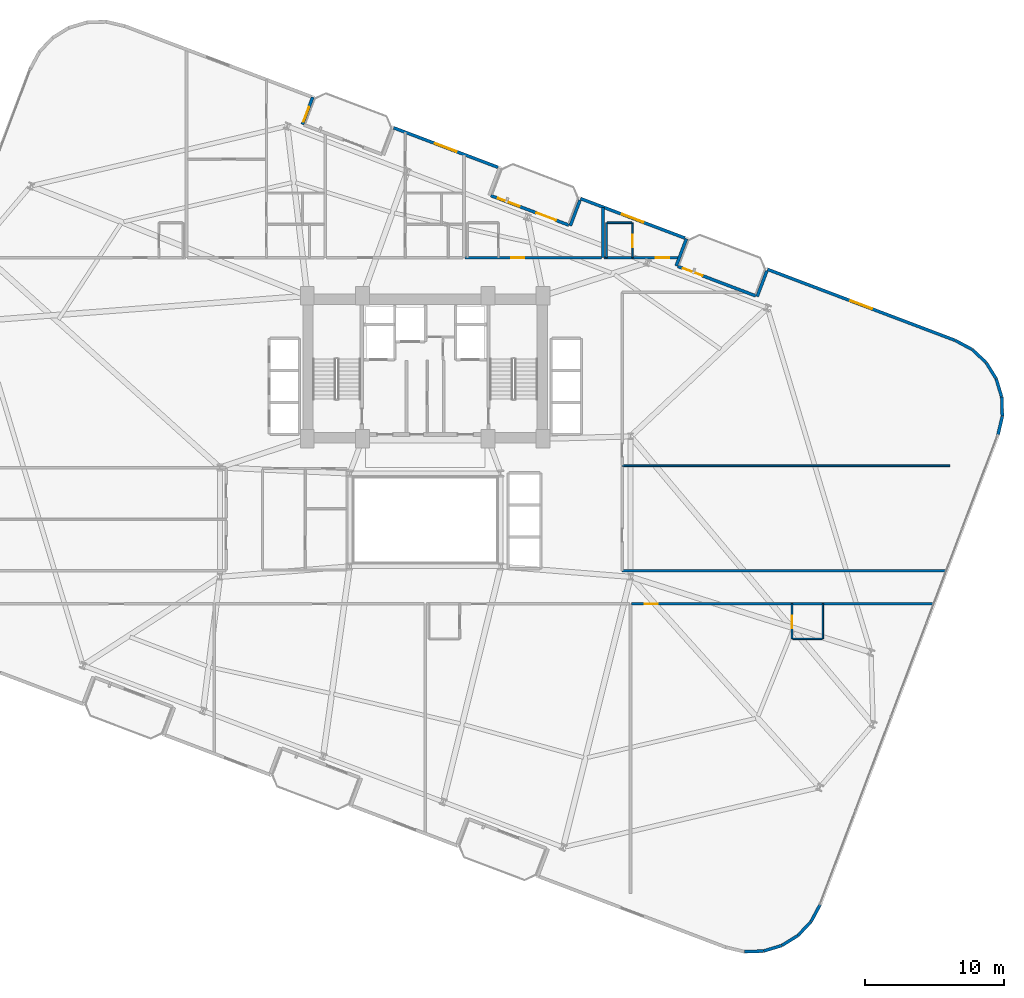
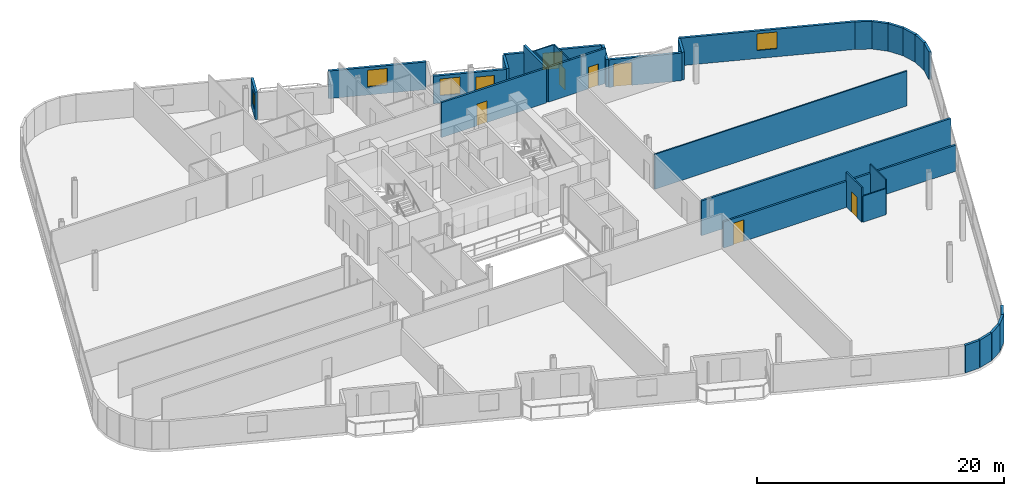
# One storey, part 20 of 24: 32 walls, 7 doors, 5 windows, 12 openings.
"""IFC4 building model written with IfcOpenShell, lengths in metres."""

from ifc_helpers import new_model, si_unit, direction, frame, frame_2d, origin, place, context, subcontext, project, spatial, rectangle, extrude, material, layer, layer_set, type_object, element, fill, save


model = new_model("IFC4")

# Units and contexts
model_context = context("Model", 3, precision=1e-05, world=origin(), true_north=direction((0.0, 1.0)))
body_context = subcontext(model_context, "Body", "Model", "MODEL_VIEW")
ifc_project = project(units=[si_unit("LENGTHUNIT", "METRE"), si_unit("AREAUNIT", "SQUARE_METRE"), si_unit("VOLUMEUNIT", "CUBIC_METRE"), si_unit("PLANEANGLEUNIT", "RADIAN"), si_unit("MASSUNIT", "GRAM", prefix="KILO")], contexts=[model_context])

# Site, building, storey
site_placement = place(None, origin())
site = spatial("IfcSite", under=ifc_project, at=site_placement, CompositionType="ELEMENT")
building_placement = place(site_placement, origin())
building = spatial("IfcBuilding", under=site, at=building_placement, Name="Varnelok Gate Tower", CompositionType="ELEMENT")
storey_placement = place(building_placement, frame((0.0, 0.0, 102.10009765625)))
storey = spatial("IfcBuildingStorey", under=building, at=storey_placement, Name="L25", CompositionType="ELEMENT", Elevation=102.10009765625)

# Wall, openings, door, window
ifc_material_1 = material(Name="Concrete C45/55", Category="concrete")
ifc_layer_1 = layer(ifc_material_1, 0.219970703125)
ifc_layer_set_1 = layer_set([ifc_layer_1], Name="Concrete C45/55")
wall_type_1 = type_object("IfcWallType", Name="EW-BALC-220", PredefinedType="SOLIDWALL", material=ifc_layer_set_1)
wall_1_placement = place(storey_placement, frame((43.932373046875, 46.273193359375, 0.0), z_axis=(0.0, 0.0, 1.0), x_axis=(0.93521416643, -0.354082565101, 0.0)))
wall_1 = element("IfcWall", 1, at=wall_1_placement, inside=storey, type_object=wall_type_1, Name="L25 North Terrace Envelope Wall 5", PredefinedType="SOLIDWALL", context=body_context, shape_type="SweptSolid", body=[
    extrude(rectangle(XDim=6.0, YDim=0.219970703125, at=frame_2d((3.0, 0.0))), origin(), (0.0, 0.0, 1.0), 2.72998046875),
])
opening_1_placement = place(wall_1_placement, frame((3.508056640625, 0.0, 0.0)))
opening_1 = element("IfcOpeningElement", 2, at=opening_1_placement, cuts=wall_1, Name="Opening BD-1", PredefinedType="OPENING", context=body_context, shape_type="SweptSolid", body=[
    extrude(rectangle(XDim=1.5, YDim=2.25, at=frame_2d((0.75, 1.125))), frame((0.0, 0.119873046875, 0.0), z_axis=(0.0, -1.0, 0.0), x_axis=(1.0, 0.0, 0.0)), (0.0, 0.0, 1.0), 0.239990234375),
])
opening_2_placement = place(wall_1_placement, frame((0.550048828125, 0.0, 0.75)))
opening_2 = element("IfcOpeningElement", 3, at=opening_2_placement, cuts=wall_1, Name="Opening WN3", PredefinedType="OPENING", context=body_context, shape_type="SweptSolid", body=[
    extrude(rectangle(XDim=1.64990234375, YDim=1.64990234375, at=frame_2d((0.824951171875, 0.824951171875))), frame((0.0, 0.119873046875, 0.0), z_axis=(0.0, -1.0, 0.0), x_axis=(1.0, 0.0, 0.0)), (0.0, 0.0, 1.0), 0.239990234375),
])
ifc_material_2 = material(Name="Anodized Aluminum Alloy 6063-T6", Category="aluminium")
door_type_1 = type_object("IfcDoorType", Name="DR-EXT-BALC1500", OperationType="NOTDEFINED", PredefinedType="DOOR", material=ifc_material_2)
door_1_placement = place(opening_1_placement, origin())
door_1 = element("IfcDoor", 4, at=door_1_placement, inside=storey, type_object=door_type_1, Name="L25 North Balcony Glazed Door 5", OperationType="SINGLE_SWING_RIGHT", OverallHeight=2.25, OverallWidth=1.5, PredefinedType="DOOR", context=body_context, shape_type="SweptSolid", body=[
    extrude(rectangle(XDim=1.5, YDim=2.25, at=frame_2d((0.75, 1.125))), frame((0.0, 0.02490234375, 0.0), z_axis=(0.0, -1.0, 0.0), x_axis=(1.0, 0.0, 0.0)), (0.0, 0.0, 1.0), 0.050048828125),
])
fill(opening_1, door_1)
ifc_material_3 = material(Name="Low-E Laminated Double Glazing IGU", Category="glass")
window_type_1 = type_object("IfcWindowType", Name="WN-HTL-1650", PartitioningType="SINGLE_PANEL", PredefinedType="WINDOW", material=ifc_material_3)
window_1_placement = place(opening_2_placement, origin())
window_1 = element("IfcWindow", 5, at=window_1_placement, inside=storey, type_object=window_type_1, Name="L25 North Vision Window 5.1", OverallHeight=1.64990234375, OverallWidth=1.64990234375, PartitioningType="SINGLE_PANEL", PredefinedType="WINDOW", context=body_context, shape_type="SweptSolid", body=[
    extrude(rectangle(XDim=1.64990234375, YDim=1.64990234375, at=frame_2d((0.824951171875, 0.824951171875))), frame((0.0, 0.030029296875, 0.0), z_axis=(0.0, -1.0, 0.0), x_axis=(1.0, 0.0, 0.0)), (0.0, 0.0, 1.0), 0.06005859375),
])
fill(opening_2, window_1)

# Wall, opening, door
wall_2_placement = place(storey_placement, frame((57.3994140625, 41.174560546875, 0.0), z_axis=(0.0, 0.0, 1.0), x_axis=(0.935227640088, -0.354046976001, 0.0)))
wall_2 = element("IfcWall", 6, at=wall_2_placement, inside=storey, type_object=wall_type_1, Name="L25 North Terrace Envelope Wall 6", PredefinedType="SOLIDWALL", context=body_context, shape_type="SweptSolid", body=[
    extrude(rectangle(XDim=6.0, YDim=0.219970703125, at=frame_2d((3.0, 0.0))), origin(), (0.0, 0.0, 1.0), 2.72998046875),
])
opening_3_placement = place(wall_2_placement, frame((0.39990234375, 0.0, 0.0)))
opening_3 = element("IfcOpeningElement", 7, at=opening_3_placement, cuts=wall_2, Name="Opening BD-1", PredefinedType="OPENING", context=body_context, shape_type="SweptSolid", body=[
    extrude(rectangle(XDim=1.5, YDim=2.25, at=frame_2d((0.75, 1.125))), frame((0.0, 0.119873046875, 0.0), z_axis=(0.0, -1.0, 0.0), x_axis=(1.0, 0.0, 0.0)), (0.0, 0.0, 1.0), 0.239990234375),
])
door_2_placement = place(opening_3_placement, origin())
door_2 = element("IfcDoor", 8, at=door_2_placement, inside=storey, type_object=door_type_1, Name="L25 North Balcony Glazed Door 6", OperationType="SINGLE_SWING_LEFT", OverallHeight=2.25, OverallWidth=1.5, PredefinedType="DOOR", context=body_context, shape_type="SweptSolid", body=[
    extrude(rectangle(XDim=1.5, YDim=2.25, at=frame_2d((0.75, 1.125))), frame((0.0, 0.02490234375, 0.0), z_axis=(0.0, -1.0, 0.0), x_axis=(1.0, 0.0, 0.0)), (0.0, 0.0, 1.0), 0.050048828125),
])
fill(opening_3, door_2)

# Walls
wall_3_placement = place(storey_placement, frame((62.2158203125, -8.209228515625, 0.0), z_axis=(0.0, 0.0, 1.0), x_axis=(0.999523971993, 0.03085173271, 0.0)))
element("IfcWall", 9, at=wall_3_placement, inside=storey, type_object=wall_type_1, Name="L25 Perimeter Facade Closure Wall 18", PredefinedType="SOLIDWALL", context=body_context, shape_type="SweptSolid", body=[
    extrude(rectangle(XDim=1.353271484375, YDim=0.219970703125, at=frame_2d((0.6767578125, 0.0))), origin(), (0.0, 0.0, 1.0), 2.72998046875),
])
for number, where, z_axis, x_axis, name in (
    (10, (63.59228515625, -8.160400390625, 0.0), (0.0, 0.0, 1.0), (0.957532798303, 0.28832436625, 0.0), "L25 Perimeter Facade Closure Wall 19"),
    (11, (64.9091796875, -7.757080078125, 0.0), (0.0, 0.0, 1.0), (0.850180541217, 0.526491260456, 0.0), "L25 Perimeter Facade Closure Wall 20"),
):
    element("IfcWall", number, at=place(storey_placement, frame(where, z_axis=z_axis, x_axis=x_axis)), inside=storey, type_object=wall_type_1, Name=name, PredefinedType="SOLIDWALL", context=body_context, shape_type="SweptSolid", body=[
        extrude(rectangle(XDim=1.35302734375, YDim=0.219970703125, at=frame_2d((0.676513671875, 0.0))), origin(), (0.0, 0.0, 1.0), 2.72998046875),
    ])
wall_4_placement = place(storey_placement, frame((66.07666015625, -7.026611328125, 0.0), z_axis=(0.0, 0.0, 1.0), x_axis=(0.685032599484, 0.7285124142, 0.0)))
element("IfcWall", 12, at=wall_4_placement, inside=storey, type_object=wall_type_1, Name="L25 Perimeter Facade Closure Wall 21", PredefinedType="SOLIDWALL", context=body_context, shape_type="SweptSolid", body=[
    extrude(rectangle(XDim=1.353271484375, YDim=0.219970703125, at=frame_2d((0.6767578125, 0.0))), origin(), (0.0, 0.0, 1.0), 2.72998046875),
])
wall_5_placement = place(storey_placement, frame((67.015380859375, -6.018798828125, 0.0), z_axis=(0.0, 0.0, 1.0), x_axis=(0.473077364598, 0.881020889142, 0.0)))
element("IfcWall", 13, at=wall_5_placement, inside=storey, type_object=wall_type_1, Name="L25 Perimeter Facade Closure Wall 22", PredefinedType="SOLIDWALL", context=body_context, shape_type="SweptSolid", body=[
    extrude(rectangle(XDim=1.35302734375, YDim=0.219970703125, at=frame_2d((0.676513671875, 0.0))), origin(), (0.0, 0.0, 1.0), 2.72998046875),
])
wall_6_placement = place(storey_placement, frame((80.47265625, 29.0283203125, 0.0), z_axis=(0.0, 0.0, 1.0), x_axis=(0.228881345311, 0.973454328548, 0.0)))
element("IfcWall", 14, at=wall_6_placement, inside=storey, type_object=wall_type_1, Name="L25 Perimeter Facade Closure Wall 23", PredefinedType="SOLIDWALL", context=body_context, shape_type="SweptSolid", body=[
    extrude(rectangle(XDim=1.378173828125, YDim=0.219970703125, at=frame_2d((0.68896484375, 0.0))), origin(), (0.0, 0.0, 1.0), 2.72998046875),
])
for number, where, z_axis, x_axis, name in (
    (15, (80.787353515625, 30.39501953125, 0.0), (0.0, 0.0, 1.0), (-0.030857297317, 0.999523800218, 0.0), "L25 Perimeter Facade Closure Wall 24"),
    (16, (80.738525390625, 31.771240234375, 0.0), (0.0, 0.0, 1.0), (-0.28832436625, 0.957532798303, 0.0), "L25 Perimeter Facade Closure Wall 25"),
    (17, (80.335205078125, 33.088134765625, 0.0), (0.0, 0.0, 1.0), (-0.526491260456, 0.850180541217, 0.0), "L25 Perimeter Facade Closure Wall 26"),
    (18, (79.6044921875, 34.255615234375, 0.0), (0.0, 0.0, 1.0), (-0.72842773461, 0.685122642634, 0.0), "L25 Perimeter Facade Closure Wall 27"),
):
    element("IfcWall", number, at=place(storey_placement, frame(where, z_axis=z_axis, x_axis=x_axis)), inside=storey, type_object=wall_type_1, Name=name, PredefinedType="SOLIDWALL", context=body_context, shape_type="SweptSolid", body=[
        extrude(rectangle(XDim=1.35302734375, YDim=0.219970703125, at=frame_2d((0.676513671875, 0.0))), origin(), (0.0, 0.0, 1.0), 2.72998046875),
    ])
wall_7_placement = place(storey_placement, frame((78.5966796875, 35.1943359375, 0.0), z_axis=(0.0, 0.0, 1.0), x_axis=(-0.880948732004, 0.473211719614, 0.0)))
element("IfcWall", 19, at=wall_7_placement, inside=storey, type_object=wall_type_1, Name="L25 Perimeter Facade Closure Wall 28", PredefinedType="SOLIDWALL", context=body_context, shape_type="SweptSolid", body=[
    extrude(rectangle(XDim=1.361083984375, YDim=0.219970703125, at=frame_2d((0.6806640625, 0.0))), origin(), (0.0, 0.0, 1.0), 2.72998046875),
])

# Wall, opening, window
wall_8_placement = place(storey_placement, frame((77.37451171875, 35.84716796875, 0.0), z_axis=(0.0, 0.0, 1.0), x_axis=(-0.935222448475, 0.354060689526, 0.0)))
wall_8 = element("IfcWall", 20, at=wall_8_placement, inside=storey, type_object=wall_type_1, Name="L25 Perimeter Facade Closure Wall 29", PredefinedType="SOLIDWALL", context=body_context, shape_type="SweptSolid", body=[
    extrude(rectangle(XDim=14.447265625, YDim=0.219970703125, at=frame_2d((7.2236328125, 0.0))), origin(), (0.0, 0.0, 1.0), 2.72998046875),
])
opening_4_placement = place(wall_8_placement, frame((6.398681640625, 0.0, 0.800048828125)))
opening_4 = element("IfcOpeningElement", 21, at=opening_4_placement, cuts=wall_8, Name="Opening WN3", PredefinedType="OPENING", context=body_context, shape_type="SweptSolid", body=[
    extrude(rectangle(XDim=1.64990234375, YDim=1.64990234375, at=frame_2d((0.824951171875, 0.824951171875))), frame((0.0, 0.119873046875, 0.0), z_axis=(0.0, -1.0, 0.0), x_axis=(1.0, 0.0, 0.0)), (0.0, 0.0, 1.0), 0.239990234375),
])
window_2_placement = place(opening_4_placement, origin())
window_2 = element("IfcWindow", 22, at=window_2_placement, inside=storey, type_object=window_type_1, Name="L25 Perimeter Vision Window 29", OverallHeight=1.64990234375, OverallWidth=1.64990234375, PartitioningType="SINGLE_PANEL", PredefinedType="WINDOW", context=body_context, shape_type="SweptSolid", body=[
    extrude(rectangle(XDim=1.64990234375, YDim=1.64990234375, at=frame_2d((0.824951171875, 0.824951171875))), frame((0.0, 0.030029296875, 0.0), z_axis=(0.0, -1.0, 0.0), x_axis=(1.0, 0.0, 0.0)), (0.0, 0.0, 1.0), 0.06005859375),
])
fill(opening_4, window_2)

# Walls
wall_9_placement = place(storey_placement, frame((63.81884765625, 40.845458984375, 0.0), z_axis=(0.0, 0.0, 1.0), x_axis=(-0.354128791944, -0.935196663123, 0.0)))
element("IfcWall", 23, at=wall_9_placement, inside=storey, type_object=wall_type_1, Name="L25 Perimeter Facade Closure Wall 30", PredefinedType="SOLIDWALL", context=body_context, shape_type="SweptSolid", body=[
    extrude(rectangle(XDim=1.97509765625, YDim=0.219970703125, at=frame_2d((0.987548828125, 0.0))), origin(), (0.0, 0.0, 1.0), 2.72998046875),
])
wall_10_placement = place(storey_placement, frame((57.28369140625, 41.207763671875, 0.0), z_axis=(0.0, 0.0, 1.0), x_axis=(0.354128469405, 0.935196785258, 0.0)))
element("IfcWall", 24, at=wall_10_placement, inside=storey, type_object=wall_type_1, Name="L25 Perimeter Facade Closure Wall 31", PredefinedType="SOLIDWALL", context=body_context, shape_type="SweptSolid", body=[
    extrude(rectangle(XDim=2.099853515625, YDim=0.219970703125, at=frame_2d((1.0498046875, 0.0))), origin(), (0.0, 0.0, 1.0), 2.72998046875),
])

# Wall, opening, window
wall_11_placement = place(storey_placement, frame((57.910400390625, 43.2158203125, 0.0), z_axis=(0.0, 0.0, 1.0), x_axis=(-0.935220736163, 0.354065212427, 0.0)))
wall_11 = element("IfcWall", 25, at=wall_11_placement, inside=storey, type_object=wall_type_1, Name="L25 Perimeter Facade Closure Wall 32", PredefinedType="SOLIDWALL", context=body_context, shape_type="SweptSolid", body=[
    extrude(rectangle(XDim=8.03515625, YDim=0.219970703125, at=frame_2d((4.017578125, 0.0))), origin(), (0.0, 0.0, 1.0), 2.72998046875),
])
opening_5_placement = place(wall_11_placement, frame((3.1923828125, 0.0, 0.800048828125)))
opening_5 = element("IfcOpeningElement", 26, at=opening_5_placement, cuts=wall_11, Name="Opening WN3", PredefinedType="OPENING", context=body_context, shape_type="SweptSolid", body=[
    extrude(rectangle(XDim=1.64990234375, YDim=1.64990234375, at=frame_2d((0.824951171875, 0.824951171875))), frame((0.0, 0.119873046875, 0.0), z_axis=(0.0, -1.0, 0.0), x_axis=(1.0, 0.0, 0.0)), (0.0, 0.0, 1.0), 0.239990234375),
])
window_3_placement = place(opening_5_placement, origin())
window_3 = element("IfcWindow", 27, at=window_3_placement, inside=storey, type_object=window_type_1, Name="L25 Perimeter Vision Window 32", OverallHeight=1.64990234375, OverallWidth=1.64990234375, PartitioningType="SINGLE_PANEL", PredefinedType="WINDOW", context=body_context, shape_type="SweptSolid", body=[
    extrude(rectangle(XDim=1.64990234375, YDim=1.64990234375, at=frame_2d((0.824951171875, 0.824951171875))), frame((0.0, 0.030029296875, 0.0), z_axis=(0.0, -1.0, 0.0), x_axis=(1.0, 0.0, 0.0)), (0.0, 0.0, 1.0), 0.06005859375),
])
fill(opening_5, window_3)

# Wall
wall_12_placement = place(storey_placement, frame((50.3515625, 45.94384765625, 0.0), z_axis=(0.0, 0.0, 1.0), x_axis=(-0.354061611705, -0.935222099352, 0.0)))
element("IfcWall", 28, at=wall_12_placement, inside=storey, type_object=wall_type_1, Name="L25 Perimeter Facade Closure Wall 33", PredefinedType="SOLIDWALL", context=body_context, shape_type="SweptSolid", body=[
    extrude(rectangle(XDim=1.974853515625, YDim=0.219970703125, at=frame_2d((0.9873046875, 0.0))), origin(), (0.0, 0.0, 1.0), 2.72998046875),
])

# Wall, opening, window
wall_13_placement = place(storey_placement, frame((44.443115234375, 48.314453125, 0.0), z_axis=(0.0, 0.0, 1.0), x_axis=(-0.935226988293, 0.354048697735, 0.0)))
wall_13 = element("IfcWall", 29, at=wall_13_placement, inside=storey, type_object=wall_type_1, Name="L25 Perimeter Facade Closure Wall 35", PredefinedType="SOLIDWALL", context=body_context, shape_type="SweptSolid", body=[
    extrude(rectangle(XDim=8.034912109375, YDim=0.219970703125, at=frame_2d((4.017578125, 0.0))), origin(), (0.0, 0.0, 1.0), 2.72998046875),
])
opening_6_placement = place(wall_13_placement, frame((3.1923828125, 0.0, 0.800048828125)))
opening_6 = element("IfcOpeningElement", 30, at=opening_6_placement, cuts=wall_13, Name="Opening WN3", PredefinedType="OPENING", context=body_context, shape_type="SweptSolid", body=[
    extrude(rectangle(XDim=1.64990234375, YDim=1.64990234375, at=frame_2d((0.824951171875, 0.824951171875))), frame((0.0, 0.119873046875, 0.0), z_axis=(0.0, -1.0, 0.0), x_axis=(1.0, 0.0, 0.0)), (0.0, 0.0, 1.0), 0.239990234375),
])
window_4_placement = place(opening_6_placement, origin())
window_4 = element("IfcWindow", 31, at=window_4_placement, inside=storey, type_object=window_type_1, Name="L25 Perimeter Vision Window 35", OverallHeight=1.64990234375, OverallWidth=1.64990234375, PartitioningType="SINGLE_PANEL", PredefinedType="WINDOW", context=body_context, shape_type="SweptSolid", body=[
    extrude(rectangle(XDim=1.64990234375, YDim=1.64990234375, at=frame_2d((0.824951171875, 0.824951171875))), frame((0.0, 0.030029296875, 0.0), z_axis=(0.0, -1.0, 0.0), x_axis=(1.0, 0.0, 0.0)), (0.0, 0.0, 1.0), 0.06005859375),
])
fill(opening_6, window_4)

wall_14_placement = place(storey_placement, frame((30.349365234375, 51.40478515625, 0.0), z_axis=(0.0, 0.0, 1.0), x_axis=(0.354128469405, 0.935196785258, 0.0)))
wall_14 = element("IfcWall", 32, at=wall_14_placement, inside=storey, type_object=wall_type_1, Name="L25 Perimeter Facade Closure Wall 37", PredefinedType="SOLIDWALL", context=body_context, shape_type="SweptSolid", body=[
    extrude(rectangle(XDim=2.099853515625, YDim=0.219970703125, at=frame_2d((1.0498046875, 0.0))), origin(), (0.0, 0.0, 1.0), 2.72998046875),
])
opening_7_placement = place(wall_14_placement, frame((0.199951171875, 0.0, 0.800048828125)))
opening_7 = element("IfcOpeningElement", 33, at=opening_7_placement, cuts=wall_14, Name="Opening WN8", PredefinedType="OPENING", context=body_context, shape_type="SweptSolid", body=[
    extrude(rectangle(XDim=1.14990234375, YDim=1.39990234375, at=frame_2d((0.574951171875, 0.699951171875))), frame((0.0, 0.119873046875, 0.0), z_axis=(0.0, -1.0, 0.0), x_axis=(1.0, 0.0, 0.0)), (0.0, 0.0, 1.0), 0.239990234375),
])
window_type_2 = type_object("IfcWindowType", Name="WN-BED-1150", PartitioningType="SINGLE_PANEL", PredefinedType="WINDOW", material=ifc_material_3)
window_5_placement = place(opening_7_placement, origin())
window_5 = element("IfcWindow", 34, at=window_5_placement, inside=storey, type_object=window_type_2, Name="L25 Bedroom Vision Window 11", OverallHeight=1.39990234375, OverallWidth=1.14990234375, PartitioningType="SINGLE_PANEL", PredefinedType="WINDOW", context=body_context, shape_type="SweptSolid", body=[
    extrude(rectangle(XDim=1.14990234375, YDim=1.39990234375, at=frame_2d((0.574951171875, 0.699951171875))), frame((0.0, 0.030029296875, 0.0), z_axis=(0.0, -1.0, 0.0), x_axis=(1.0, 0.0, 0.0)), (0.0, 0.0, 1.0), 0.06005859375),
])
fill(opening_7, window_5)

# Wall, opening, door
ifc_material_4 = material(Name="Gypsum Plasterboard Acoustic Partition", Category="gypsum")
ifc_layer_2 = layer(ifc_material_4, 0.179931640625)
ifc_layer_set_2 = layer_set([ifc_layer_2], Name="Gypsum Plasterboard Acoustic Partition")
wall_type_2 = type_object("IfcWallType", Name="PW-CORR-180", PredefinedType="PARTITIONING", material=ifc_layer_set_2)
wall_15_placement = place(storey_placement, frame((54.080078125, 16.85009765625, 0.0), z_axis=(0.0, 0.0, 1.0), x_axis=(1.0, 0.0, 0.0)))
wall_15 = element("IfcWall", 35, at=wall_15_placement, inside=storey, type_object=wall_type_2, Name="Interior Partition", PredefinedType="PARTITIONING", context=body_context, shape_type="SweptSolid", body=[
    extrude(rectangle(XDim=21.7216796875, YDim=0.179931640625, at=frame_2d((10.86083984375, 0.0))), origin(), (0.0, 0.0, 1.0), 2.579833984375),
])
opening_8_placement = place(wall_15_placement, frame((0.934326171875, 0.0, 0.0)))
opening_8 = element("IfcOpeningElement", 36, at=opening_8_placement, cuts=wall_15, Name="Opening D-HT", PredefinedType="OPENING", context=body_context, shape_type="SweptSolid", body=[
    extrude(rectangle(XDim=0.949951171875, YDim=2.14990234375, at=frame_2d((0.47509765625, 1.074951171875))), frame((0.0, 0.099853515625, 0.0), z_axis=(0.0, -1.0, 0.0), x_axis=(1.0, 0.0, 0.0)), (0.0, 0.0, 1.0), 0.199951171875),
])
ifc_material_5 = material(Name="Engineered Hardwood Timber", Category="wood")
door_type_2 = type_object("IfcDoorType", Name="DR-HTL-950", OperationType="NOTDEFINED", PredefinedType="DOOR", material=ifc_material_5)
door_3_placement = place(opening_8_placement, origin())
door_3 = element("IfcDoor", 37, at=door_3_placement, inside=storey, type_object=door_type_2, Name="L25 Guest Room 04 Entrance Door", OperationType="SINGLE_SWING_LEFT", OverallHeight=2.14990234375, OverallWidth=0.949951171875, PredefinedType="DOOR", context=body_context, shape_type="SweptSolid", body=[
    extrude(rectangle(XDim=0.949951171875, YDim=2.14990234375, at=frame_2d((0.47509765625, 1.074951171875))), frame((0.0, 0.02490234375, 0.0), z_axis=(0.0, -1.0, 0.0), x_axis=(1.0, 0.0, 0.0)), (0.0, 0.0, 1.0), 0.050048828125),
])
fill(opening_8, door_3)

wall_16_placement = place(storey_placement, frame((42.080078125, 41.800048828125, 0.0), z_axis=(0.0, 0.0, 1.0), x_axis=(1.0, 0.0, 0.0)))
wall_16 = element("IfcWall", 38, at=wall_16_placement, inside=storey, type_object=wall_type_2, Name="Interior Partition", PredefinedType="PARTITIONING", context=body_context, shape_type="SweptSolid", body=[
    extrude(rectangle(XDim=9.83984375, YDim=0.179931640625, at=frame_2d((4.919921875, 0.0))), origin(), (0.0, 0.0, 1.0), 3.449951171875),
])
opening_9_placement = place(wall_16_placement, frame((3.322998046875, 0.0, 0.0)))
opening_9 = element("IfcOpeningElement", 39, at=opening_9_placement, cuts=wall_16, Name="Opening D-HT", PredefinedType="OPENING", context=body_context, shape_type="SweptSolid", body=[
    extrude(rectangle(XDim=0.949951171875, YDim=2.14990234375, at=frame_2d((0.47509765625, 1.074951171875))), frame((0.0, 0.099853515625, 0.0), z_axis=(0.0, -1.0, 0.0), x_axis=(1.0, 0.0, 0.0)), (0.0, 0.0, 1.0), 0.199951171875),
])
door_4_placement = place(opening_9_placement, origin())
door_4 = element("IfcDoor", 40, at=door_4_placement, inside=storey, type_object=door_type_2, Name="L25 Guest Room 08 Entrance Door", OperationType="SINGLE_SWING_LEFT", OverallHeight=2.14990234375, OverallWidth=0.949951171875, PredefinedType="DOOR", context=body_context, shape_type="SweptSolid", body=[
    extrude(rectangle(XDim=0.949951171875, YDim=2.14990234375, at=frame_2d((0.47509765625, 1.074951171875))), frame((0.0, 0.02490234375, 0.0), z_axis=(0.0, -1.0, 0.0), x_axis=(1.0, 0.0, 0.0)), (0.0, 0.0, 1.0), 0.050048828125),
])
fill(opening_9, door_4)

wall_17_placement = place(storey_placement, frame((52.080078125, 41.800048828125, 0.0), z_axis=(0.0, 0.0, 1.0), x_axis=(1.0, 0.0, 0.0)))
wall_17 = element("IfcWall", 41, at=wall_17_placement, inside=storey, type_object=wall_type_2, Name="Interior Partition", PredefinedType="PARTITIONING", context=body_context, shape_type="SweptSolid", body=[
    extrude(rectangle(XDim=5.406494140625, YDim=0.179931640625, at=frame_2d((2.703125, 0.0))), origin(), (0.0, 0.0, 1.0), 3.449951171875),
])
opening_10_placement = place(wall_17_placement, frame((3.739501953125, 0.0, 0.0)))
opening_10 = element("IfcOpeningElement", 42, at=opening_10_placement, cuts=wall_17, Name="Opening D-HT", PredefinedType="OPENING", context=body_context, shape_type="SweptSolid", body=[
    extrude(rectangle(XDim=0.949951171875, YDim=2.14990234375, at=frame_2d((0.47509765625, 1.074951171875))), frame((0.0, 0.099853515625, 0.0), z_axis=(0.0, -1.0, 0.0), x_axis=(1.0, 0.0, 0.0)), (0.0, 0.0, 1.0), 0.199951171875),
])
door_5_placement = place(opening_10_placement, origin())
door_5 = element("IfcDoor", 43, at=door_5_placement, inside=storey, type_object=door_type_2, Name="L25 Guest Room 09 Entrance Door", OperationType="SINGLE_SWING_RIGHT", OverallHeight=2.14990234375, OverallWidth=0.949951171875, PredefinedType="DOOR", context=body_context, shape_type="SweptSolid", body=[
    extrude(rectangle(XDim=0.949951171875, YDim=2.14990234375, at=frame_2d((0.47509765625, 1.074951171875))), frame((0.0, 0.02490234375, 0.0), z_axis=(0.0, -1.0, 0.0), x_axis=(1.0, 0.0, 0.0)), (0.0, 0.0, 1.0), 0.050048828125),
])
fill(opening_10, door_5)

# Walls
wall_18_placement = place(storey_placement, frame((53.389892578125, 19.239990234375, 0.0), z_axis=(0.0, 0.0, 1.0), x_axis=(1.0, 0.0, 0.0)))
element("IfcWall", 44, at=wall_18_placement, inside=storey, type_object=wall_type_2, Name="Interior Partition", PredefinedType="PARTITIONING", context=body_context, shape_type="SweptSolid", body=[
    extrude(rectangle(XDim=23.316650390625, YDim=0.179931640625, at=frame_2d((11.658203125, 0.0))), origin(), (0.0, 0.0, 1.0), 3.449951171875),
])
ifc_layer_3 = layer(ifc_material_4, 0.114990234375)
ifc_layer_set_3 = layer_set([ifc_layer_3], Name="Gypsum Plasterboard Acoustic Partition")
wall_type_3 = type_object("IfcWallType", Name="PW-ENS-125", PredefinedType="PARTITIONING", material=ifc_layer_set_3)
wall_19_placement = place(storey_placement, frame((65.669921875, 14.330078125, 0.0), z_axis=(0.0, 0.0, 1.0), x_axis=(1.0, 0.0, 0.0)))
element("IfcWall", 45, at=wall_19_placement, inside=storey, type_object=wall_type_3, Name="Interior Partition", PredefinedType="PARTITIONING", context=body_context, shape_type="SweptSolid", body=[
    extrude(rectangle(XDim=2.150146484375, YDim=0.114990234375, at=frame_2d((1.0751953125, 0.0))), origin(), (0.0, 0.0, 1.0), 2.579833984375),
])

# Wall, opening, door
wall_20_placement = place(storey_placement, frame((65.6298828125, 14.330078125, 0.0), z_axis=(0.0, 0.0, 1.0), x_axis=(0.0, 1.0, 0.0)))
wall_20 = element("IfcWall", 46, at=wall_20_placement, inside=storey, type_object=wall_type_3, Name="Interior Partition", PredefinedType="PARTITIONING", context=body_context, shape_type="SweptSolid", body=[
    extrude(rectangle(XDim=2.52001953125, YDim=0.114990234375, at=frame_2d((1.260009765625, 0.0))), origin(), (0.0, 0.0, 1.0), 3.449951171875),
])
opening_11_placement = place(wall_20_placement, frame((0.760009765625, 0.0, 0.0)))
opening_11 = element("IfcOpeningElement", 47, at=opening_11_placement, cuts=wall_20, Name="Opening D-WC", PredefinedType="OPENING", context=body_context, shape_type="SweptSolid", body=[
    extrude(rectangle(XDim=0.89990234375, YDim=2.050048828125, at=frame_2d((0.449951171875, 1.02490234375))), frame((0.0, 0.0673828125, 0.0), z_axis=(0.0, -1.0, 0.0), x_axis=(1.0, 0.0, 0.0)), (0.0, 0.0, 1.0), 0.135009765625),
])
door_type_3 = type_object("IfcDoorType", Name="DR-BATH-900", OperationType="NOTDEFINED", PredefinedType="DOOR", material=ifc_material_5)
door_6_placement = place(opening_11_placement, origin())
door_6 = element("IfcDoor", 48, at=door_6_placement, inside=storey, type_object=door_type_3, Name="L25 Guest En-Suite 04 Door", OperationType="SINGLE_SWING_RIGHT", OverallHeight=2.050048828125, OverallWidth=0.89990234375, PredefinedType="DOOR", context=body_context, shape_type="SweptSolid", body=[
    extrude(rectangle(XDim=0.89990234375, YDim=2.050048828125, at=frame_2d((0.449951171875, 1.02490234375))), frame((0.0, 0.02490234375, 0.0), z_axis=(0.0, -1.0, 0.0), x_axis=(1.0, 0.0, 0.0)), (0.0, 0.0, 1.0), 0.050048828125),
])
fill(opening_11, door_6)

# Walls
wall_21_placement = place(storey_placement, frame((67.860107421875, 14.330078125, 0.0), z_axis=(0.0, 0.0, 1.0), x_axis=(0.0, 1.0, 0.0)))
element("IfcWall", 49, at=wall_21_placement, inside=storey, type_object=wall_type_3, Name="Interior Partition", PredefinedType="PARTITIONING", context=body_context, shape_type="SweptSolid", body=[
    extrude(rectangle(XDim=2.52001953125, YDim=0.114990234375, at=frame_2d((1.260009765625, 0.0))), origin(), (0.0, 0.0, 1.0), 3.449951171875),
])
wall_22_placement = place(storey_placement, frame((52.300048828125, 44.320068359375, 0.0), z_axis=(0.0, 0.0, 1.0), x_axis=(1.0, 0.0, 0.0)))
element("IfcWall", 50, at=wall_22_placement, inside=storey, type_object=wall_type_3, Name="Interior Partition", PredefinedType="PARTITIONING", context=body_context, shape_type="SweptSolid", body=[
    extrude(rectangle(XDim=1.787841796875, YDim=0.114990234375, at=frame_2d((0.89404296875, 0.0))), origin(), (0.0, 0.0, 1.0), 3.449951171875),
])

# Wall, opening, door
wall_23_placement = place(storey_placement, frame((54.1279296875, 41.800048828125, 0.0), z_axis=(0.0, 0.0, 1.0), x_axis=(0.0, 1.0, 0.0)))
wall_23 = element("IfcWall", 51, at=wall_23_placement, inside=storey, type_object=wall_type_3, Name="Interior Partition", PredefinedType="PARTITIONING", context=body_context, shape_type="SweptSolid", body=[
    extrude(rectangle(XDim=2.52001953125, YDim=0.114990234375, at=frame_2d((1.260009765625, 0.0))), origin(), (0.0, 0.0, 1.0), 3.449951171875),
])
opening_12_placement = place(wall_23_placement, frame((0.760009765625, 0.0, 0.0)))
opening_12 = element("IfcOpeningElement", 52, at=opening_12_placement, cuts=wall_23, Name="Opening D-WC", PredefinedType="OPENING", context=body_context, shape_type="SweptSolid", body=[
    extrude(rectangle(XDim=0.89990234375, YDim=2.050048828125, at=frame_2d((0.449951171875, 1.02490234375))), frame((0.0, 0.0673828125, 0.0), z_axis=(0.0, -1.0, 0.0), x_axis=(1.0, 0.0, 0.0)), (0.0, 0.0, 1.0), 0.135009765625),
])
door_7_placement = place(opening_12_placement, origin())
door_7 = element("IfcDoor", 53, at=door_7_placement, inside=storey, type_object=door_type_3, Name="L25 North En-Suite 09 Door", OperationType="SINGLE_SWING_RIGHT", OverallHeight=2.050048828125, OverallWidth=0.89990234375, PredefinedType="DOOR", context=body_context, shape_type="SweptSolid", body=[
    extrude(rectangle(XDim=0.89990234375, YDim=2.050048828125, at=frame_2d((0.449951171875, 1.02490234375))), frame((0.0, 0.02490234375, 0.0), z_axis=(0.0, -1.0, 0.0), x_axis=(1.0, 0.0, 0.0)), (0.0, 0.0, 1.0), 0.050048828125),
])
fill(opening_12, door_7)

# Walls
wall_24_placement = place(storey_placement, frame((52.260009765625, 41.800048828125, 0.0), z_axis=(0.0, 0.0, 1.0), x_axis=(0.0, 1.0, 0.0)))
element("IfcWall", 54, at=wall_24_placement, inside=storey, type_object=wall_type_3, Name="Interior Partition", PredefinedType="PARTITIONING", context=body_context, shape_type="SweptSolid", body=[
    extrude(rectangle(XDim=2.52001953125, YDim=0.114990234375, at=frame_2d((1.260009765625, 0.0))), origin(), (0.0, 0.0, 1.0), 3.449951171875),
])
ifc_layer_4 = layer(ifc_material_4, 0.125)
ifc_layer_set_4 = layer_set([ifc_layer_4], Name="Gypsum Plasterboard Acoustic Partition")
wall_type_4 = type_object("IfcWallType", Name="PW-PART-125", PredefinedType="PARTITIONING", material=ifc_layer_set_4)
wall_25_placement = place(storey_placement, frame((53.389892578125, 26.800048828125, 0.0), z_axis=(0.0, 0.0, 1.0), x_axis=(1.0, 0.0, 0.0)))
element("IfcWall", 55, at=wall_25_placement, inside=storey, type_object=wall_type_4, Name="Interior Partition", PredefinedType="PARTITIONING", context=body_context, shape_type="SweptSolid", body=[
    extrude(rectangle(XDim=23.610107421875, YDim=0.125, at=frame_2d((11.80517578125, 0.0))), origin(), (0.0, 0.0, 1.0), 3.449951171875),
])
ifc_layer_5 = layer(ifc_material_4, 0.205078125)
ifc_layer_set_5 = layer_set([ifc_layer_5], Name="Gypsum Plasterboard Acoustic Partition")
wall_type_5 = type_object("IfcWallType", Name="PW-PARTY-200", PredefinedType="PARTITIONING", material=ifc_layer_set_5)
wall_26_placement = place(storey_placement, frame((52.0, 41.800048828125, 0.0), z_axis=(0.0, 0.0, 1.0), x_axis=(0.0, 1.0, 0.0)))
element("IfcWall", 56, at=wall_26_placement, inside=storey, type_object=wall_type_5, Name="L25 North Party Wall 4", PredefinedType="PARTITIONING", context=body_context, shape_type="SweptSolid", body=[
    extrude(rectangle(XDim=3.632080078125, YDim=0.205078125, at=frame_2d((1.81591796875, 0.0))), origin(), (0.0, 0.0, 1.0), 3.449951171875),
])

save(model, "model.ifc")
